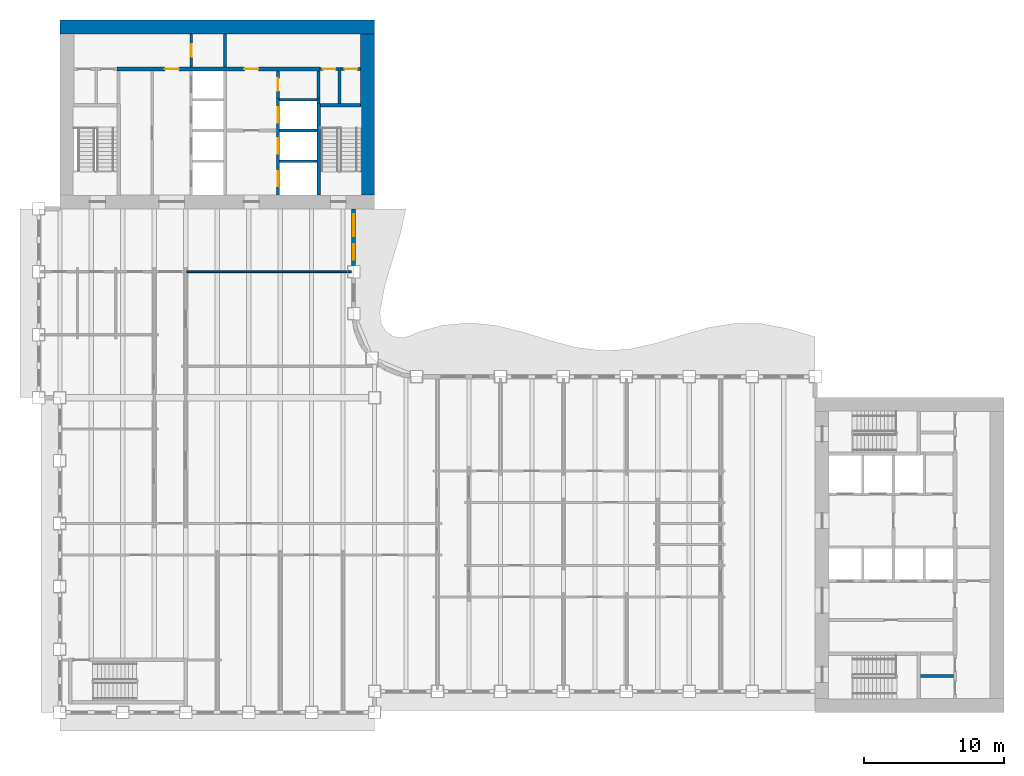
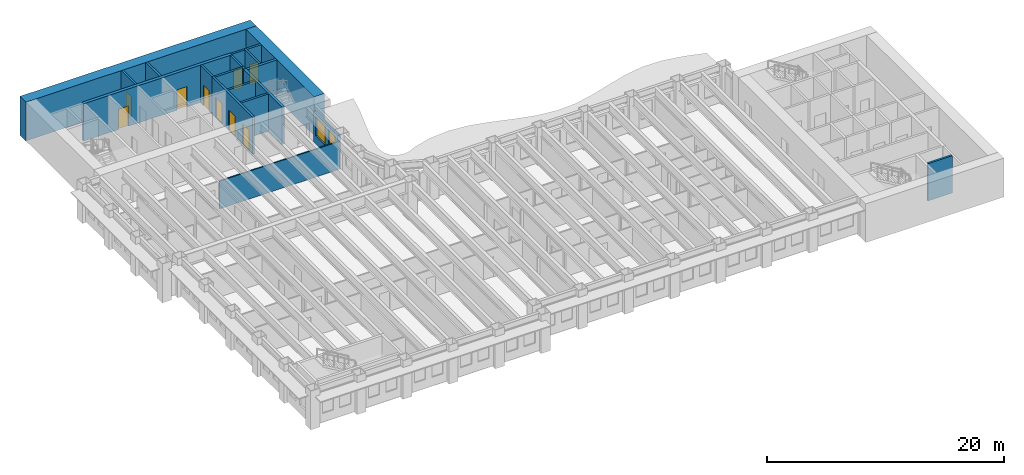
# One storey, part 9 of 16: 20 walls, 9 doors, 2 windows, 11 openings.
"""IFC4 building model written with IfcOpenShell, lengths in metres."""

from ifc_helpers import new_model, si_unit, direction, frame, frame_2d, origin, place, context, subcontext, project, spatial, rectangle, extrude, material, layer, layer_set, type_object, element, fill, save


model = new_model("IFC4")

# Units and contexts
model_context = context("Model", 3, precision=1e-05, world=origin(), true_north=direction((0.0, 1.0)))
body_context = subcontext(model_context, "Body", "Model", "MODEL_VIEW")
ifc_project = project(units=[si_unit("LENGTHUNIT", "METRE"), si_unit("AREAUNIT", "SQUARE_METRE"), si_unit("VOLUMEUNIT", "CUBIC_METRE"), si_unit("PLANEANGLEUNIT", "RADIAN"), si_unit("MASSUNIT", "GRAM", prefix="KILO")], contexts=[model_context])

# Site, building, storey
site_placement = place(None, origin())
site = spatial("IfcSite", under=ifc_project, at=site_placement, CompositionType="ELEMENT")
building_placement = place(site_placement, origin())
building = spatial("IfcBuilding", under=site, at=building_placement, Name="Sennacour Bend Tower", CompositionType="ELEMENT")
storey_placement = place(building_placement, frame((0.0, 0.0, 175.0)))
storey = spatial("IfcBuildingStorey", under=building, at=storey_placement, Name="L40", CompositionType="ELEMENT", Elevation=175.0)

# Walls
ifc_material_1 = material(Name="Concrete C60/75", Category="concrete")
ifc_layer_1 = layer(ifc_material_1, 1.0, Name="Concrete C60/75", Category="concrete")
ifc_layer_set_1 = layer_set([ifc_layer_1], Name="Concrete C60/75")
wall_type_1 = type_object("IfcWallType", Name="Core wall 1000 C60/75", PredefinedType="SHEAR", material=ifc_layer_set_1)
wall_1_placement = place(storey_placement, frame((0.0, 49.0, -0.14990234375), z_axis=(0.0, 0.0, 1.0), x_axis=(1.0, 0.0, 0.0)))
element("IfcWall", 1, at=wall_1_placement, inside=storey, type_object=wall_type_1, Name="Core B wall L40 N", PredefinedType="SHEAR", context=body_context, shape_type="SweptSolid", body=[
    extrude(rectangle(XDim=22.5, YDim=1.0, at=frame_2d((11.25, 0.0))), origin(), (0.0, 0.0, 1.0), 4.0),
])
wall_2_placement = place(storey_placement, frame((22.0, 37.0, -0.14990234375), z_axis=(0.0, 0.0, 1.0), x_axis=(0.0, 1.0, 0.0)))
element("IfcWall", 2, at=wall_2_placement, inside=storey, type_object=wall_type_1, Name="Core B wall L40 E", PredefinedType="SHEAR", context=body_context, shape_type="SweptSolid", body=[
    extrude(rectangle(XDim=11.5, YDim=1.0, at=frame_2d((5.75, 0.0))), origin(), (0.0, 0.0, 1.0), 4.0),
])
ifc_material_2 = material(Name="Plasterboard partition on steel studs", Category="steel")
ifc_layer_2 = layer(ifc_material_2, 0.1201171875, Name="Plasterboard partition on steel studs", Category="steel")
ifc_layer_set_2 = layer_set([ifc_layer_2], Name="Plasterboard partition on steel studs")
wall_type_2 = type_object("IfcWallType", Name="Partition 120", PredefinedType="PARTITIONING", material=ifc_layer_set_2)
wall_3_placement = place(storey_placement, frame((9.06005859375, 31.5, 0.0), z_axis=(0.0, 0.0, 1.0), x_axis=(1.0, 0.0, 0.0)))
element("IfcWall", 3, at=wall_3_placement, inside=storey, type_object=wall_type_2, Name="P-L40-W083ae", PredefinedType="PARTITIONING", context=body_context, shape_type="SweptSolid", body=[
    extrude(rectangle(XDim=11.7900390625, YDim=0.1201171875, at=frame_2d((5.89501953125, 0.0))), origin(), (0.0, 0.0, 1.0), 2.8701171875),
])

# Wall, opening, door
ifc_material_3 = material(Name="Fire-rated plasterboard partition on steel studs", Category="steel")
ifc_layer_3 = layer(ifc_material_3, 0.199951171875, Name="Fire-rated plasterboard partition on steel studs", Category="steel")
ifc_layer_set_3 = layer_set([ifc_layer_3], Name="Fire-rated plasterboard partition on steel studs")
wall_type_3 = type_object("IfcWallType", Name="Rated partition 200", PredefinedType="PARTITIONING", material=ifc_layer_set_3)
wall_4_placement = place(storey_placement, frame((9.39990234375, 46.14990234375, 0.0), z_axis=(0.0, 0.0, 1.0), x_axis=(0.0, 1.0, 0.0)))
wall_4 = element("IfcWall", 4, at=wall_4_placement, inside=storey, type_object=wall_type_3, Name="P-L40-W014", PredefinedType="PARTITIONING", context=body_context, shape_type="SweptSolid", body=[
    extrude(rectangle(XDim=2.35009765625, YDim=0.199951171875, at=frame_2d((1.175048828125, 0.0))), origin(), (0.0, 0.0, 1.0), 3.85009765625),
])
opening_1_placement = place(wall_4_placement, frame((0.72509765625, 0.0, 0.0)))
opening_1 = element("IfcOpeningElement", 5, at=opening_1_placement, cuts=wall_4, Name="Opening SV", PredefinedType="OPENING", context=body_context, shape_type="SweptSolid", body=[
    extrude(rectangle(XDim=0.89990234375, YDim=2.10009765625, at=frame_2d((0.449951171875, 1.050048828125))), frame((0.0, 0.10986328125, 0.0), z_axis=(0.0, -1.0, 0.0), x_axis=(1.0, 0.0, 0.0)), (0.0, 0.0, 1.0), 0.219970703125),
])
ifc_material_4 = material(Name="Painted steel", Category="steel")
door_type_1 = type_object("IfcDoorType", Name="DR-SERVICE-900", OperationType="NOTDEFINED", PredefinedType="DOOR", material=ifc_material_4)
door_1_placement = place(opening_1_placement, origin())
door_1 = element("IfcDoor", 6, at=door_1_placement, inside=storey, type_object=door_type_1, Name="Door", OperationType="SINGLE_SWING_RIGHT", OverallHeight=2.10009765625, OverallWidth=0.89990234375, PredefinedType="DOOR", context=body_context, shape_type="SweptSolid", body=[
    extrude(rectangle(XDim=0.89990234375, YDim=2.10009765625, at=frame_2d((0.449951171875, 1.050048828125))), frame((0.0, 0.02490234375, 0.0), z_axis=(0.0, -1.0, 0.0), x_axis=(1.0, 0.0, 0.0)), (0.0, 0.0, 1.0), 0.050048828125),
])
fill(opening_1, door_1)

# Wall
wall_5_placement = place(storey_placement, frame((11.800048828125, 46.14990234375, 0.0), z_axis=(0.0, 0.0, 1.0), x_axis=(0.0, 1.0, 0.0)))
element("IfcWall", 7, at=wall_5_placement, inside=storey, type_object=wall_type_3, Name="P-L40-W017", PredefinedType="PARTITIONING", context=body_context, shape_type="SweptSolid", body=[
    extrude(rectangle(XDim=2.35009765625, YDim=0.199951171875, at=frame_2d((1.175048828125, 0.0))), origin(), (0.0, 0.0, 1.0), 3.85009765625),
])

# Wall, opening, door
wall_6_placement = place(storey_placement, frame((15.60009765625, 43.89990234375, 0.0), z_axis=(0.0, 0.0, 1.0), x_axis=(0.0, 1.0, 0.0)))
wall_6 = element("IfcWall", 8, at=wall_6_placement, inside=storey, type_object=wall_type_3, Name="P-L40-W019", PredefinedType="PARTITIONING", context=body_context, shape_type="SweptSolid", body=[
    extrude(rectangle(XDim=1.9501953125, YDim=0.199951171875, at=frame_2d((0.97509765625, 0.0))), origin(), (0.0, 0.0, 1.0), 3.85009765625),
])
opening_2_placement = place(wall_6_placement, frame((0.525146484375, 0.0, 0.0)))
opening_2 = element("IfcOpeningElement", 9, at=opening_2_placement, cuts=wall_6, Name="Opening SV", PredefinedType="OPENING", context=body_context, shape_type="SweptSolid", body=[
    extrude(rectangle(XDim=0.89990234375, YDim=2.10009765625, at=frame_2d((0.449951171875, 1.050048828125))), frame((0.0, 0.10986328125, 0.0), z_axis=(0.0, -1.0, 0.0), x_axis=(1.0, 0.0, 0.0)), (0.0, 0.0, 1.0), 0.219970703125),
])
door_2_placement = place(opening_2_placement, origin())
door_2 = element("IfcDoor", 10, at=door_2_placement, inside=storey, type_object=door_type_1, Name="Door", OperationType="SINGLE_SWING_RIGHT", OverallHeight=2.10009765625, OverallWidth=0.89990234375, PredefinedType="DOOR", context=body_context, shape_type="SweptSolid", body=[
    extrude(rectangle(XDim=0.89990234375, YDim=2.10009765625, at=frame_2d((0.449951171875, 1.050048828125))), frame((0.0, 0.02490234375, 0.0), z_axis=(0.0, -1.0, 0.0), x_axis=(1.0, 0.0, 0.0)), (0.0, 0.0, 1.0), 0.050048828125),
])
fill(opening_2, door_2)

# Walls
wall_7_placement = place(storey_placement, frame((18.5, 43.89990234375, 0.0), z_axis=(0.0, 0.0, 1.0), x_axis=(0.0, 1.0, 0.0)))
element("IfcWall", 11, at=wall_7_placement, inside=storey, type_object=wall_type_3, Name="P-L40-W023", PredefinedType="PARTITIONING", context=body_context, shape_type="SweptSolid", body=[
    extrude(rectangle(XDim=1.9501953125, YDim=0.199951171875, at=frame_2d((0.97509765625, 0.0))), origin(), (0.0, 0.0, 1.0), 3.85009765625),
])
wall_8_placement = place(storey_placement, frame((20.0, 43.52490234375, 0.0), z_axis=(0.0, 0.0, 1.0), x_axis=(0.0, 1.0, 0.0)))
element("IfcWall", 12, at=wall_8_placement, inside=storey, type_object=wall_type_3, Name="P-L40-W024", PredefinedType="PARTITIONING", context=body_context, shape_type="SweptSolid", body=[
    extrude(rectangle(XDim=2.5751953125, YDim=0.199951171875, at=frame_2d((1.28759765625, 0.0))), origin(), (0.0, 0.0, 1.0), 3.85009765625),
])
wall_9_placement = place(storey_placement, frame((61.52490234375, 2.60009765625, 0.0), z_axis=(0.0, 0.0, 1.0), x_axis=(1.0, 0.0, 0.0)))
element("IfcWall", 13, at=wall_9_placement, inside=storey, type_object=wall_type_3, Name="P-L40-W053", PredefinedType="PARTITIONING", context=body_context, shape_type="SweptSolid", body=[
    extrude(rectangle(XDim=2.375, YDim=0.199951171875, at=frame_2d((1.1875, 0.0))), origin(), (0.0, 0.0, 1.0), 3.85009765625),
])

# Wall, opening, door
wall_10_placement = place(storey_placement, frame((18.60009765625, 46.0, 0.0), z_axis=(0.0, 0.0, 1.0), x_axis=(1.0, 0.0, 0.0)))
wall_10 = element("IfcWall", 14, at=wall_10_placement, inside=storey, type_object=wall_type_3, Name="P-L40-W096a", PredefinedType="PARTITIONING", context=body_context, shape_type="SweptSolid", body=[
    extrude(rectangle(XDim=1.2998046875, YDim=0.199951171875, at=frame_2d((0.64990234375, 0.0))), origin(), (0.0, 0.0, 1.0), 3.85009765625),
])
opening_3_placement = place(wall_10_placement, frame((0.199951171875, 0.0, 0.0)))
opening_3 = element("IfcOpeningElement", 15, at=opening_3_placement, cuts=wall_10, Name="Opening SV", PredefinedType="OPENING", context=body_context, shape_type="SweptSolid", body=[
    extrude(rectangle(XDim=0.89990234375, YDim=2.10009765625, at=frame_2d((0.449951171875, 1.050048828125))), frame((0.0, 0.10986328125, 0.0), z_axis=(0.0, -1.0, 0.0), x_axis=(1.0, 0.0, 0.0)), (0.0, 0.0, 1.0), 0.219970703125),
])
door_3_placement = place(opening_3_placement, origin())
door_3 = element("IfcDoor", 16, at=door_3_placement, inside=storey, type_object=door_type_1, Name="Door", OperationType="SINGLE_SWING_LEFT", OverallHeight=2.10009765625, OverallWidth=0.89990234375, PredefinedType="DOOR", context=body_context, shape_type="SweptSolid", body=[
    extrude(rectangle(XDim=0.89990234375, YDim=2.10009765625, at=frame_2d((0.449951171875, 1.050048828125))), frame((0.0, 0.02490234375, 0.0), z_axis=(0.0, -1.0, 0.0), x_axis=(1.0, 0.0, 0.0)), (0.0, 0.0, 1.0), 0.050048828125),
])
fill(opening_3, door_3)

wall_11_placement = place(storey_placement, frame((20.10009765625, 46.0, 0.0), z_axis=(0.0, 0.0, 1.0), x_axis=(1.0, 0.0, 0.0)))
wall_11 = element("IfcWall", 17, at=wall_11_placement, inside=storey, type_object=wall_type_3, Name="P-L40-W096b", PredefinedType="PARTITIONING", context=body_context, shape_type="SweptSolid", body=[
    extrude(rectangle(XDim=1.39990234375, YDim=0.199951171875, at=frame_2d((0.699951171875, 0.0))), origin(), (0.0, 0.0, 1.0), 3.85009765625),
])
opening_4_placement = place(wall_11_placement, frame((0.25, 0.0, 0.0)))
opening_4 = element("IfcOpeningElement", 18, at=opening_4_placement, cuts=wall_11, Name="Opening SV", PredefinedType="OPENING", context=body_context, shape_type="SweptSolid", body=[
    extrude(rectangle(XDim=0.89990234375, YDim=2.10009765625, at=frame_2d((0.449951171875, 1.050048828125))), frame((0.0, 0.10986328125, 0.0), z_axis=(0.0, -1.0, 0.0), x_axis=(1.0, 0.0, 0.0)), (0.0, 0.0, 1.0), 0.219970703125),
])
door_4_placement = place(opening_4_placement, origin())
door_4 = element("IfcDoor", 19, at=door_4_placement, inside=storey, type_object=door_type_1, Name="Door", OperationType="SINGLE_SWING_LEFT", OverallHeight=2.10009765625, OverallWidth=0.89990234375, PredefinedType="DOOR", context=body_context, shape_type="SweptSolid", body=[
    extrude(rectangle(XDim=0.89990234375, YDim=2.10009765625, at=frame_2d((0.449951171875, 1.050048828125))), frame((0.0, 0.02490234375, 0.0), z_axis=(0.0, -1.0, 0.0), x_axis=(1.0, 0.0, 0.0)), (0.0, 0.0, 1.0), 0.050048828125),
])
fill(opening_4, door_4)

# Wall, openings, windows
ifc_material_5 = material(Name="Warm limestone cladding", Category="masonry")
ifc_layer_4 = layer(ifc_material_5, 0.050048828125, Name="Warm limestone cladding", Category="masonry")
ifc_material_6 = material(Name="Precast concrete C40/50", Category="concrete")
ifc_layer_5 = layer(ifc_material_6, 0.25, Name="Precast concrete C40/50", Category="concrete")
ifc_layer_set_4 = layer_set([ifc_layer_4, ifc_layer_5], Name="Precast concrete C40/50 with limestone cladding")
wall_type_4 = type_object("IfcWallType", Name="STONE-CLAD PRECAST SPANDREL 300", PredefinedType="STANDARD", material=ifc_layer_set_4)
wall_12_placement = place(storey_placement, frame((21.0, 31.949951171875, 0.0), z_axis=(0.0, 0.0, 1.0), x_axis=(0.0, 1.0, 0.0)))
wall_12 = element("IfcWall", 20, at=wall_12_placement, inside=storey, type_object=wall_type_4, Name="Stone spandrel and pier wall L40 15.01", PredefinedType="STANDARD", context=body_context, shape_type="SweptSolid", body=[
    extrude(rectangle(XDim=4.050048828125, YDim=0.300048828125, at=frame_2d((2.02490234375, 0.0))), origin(), (0.0, 0.0, 1.0), 3.14892578125),
])
opening_5_placement = place(wall_12_placement, frame((0.39990234375, 0.0, 0.89990234375)))
opening_5 = element("IfcOpeningElement", 21, at=opening_5_placement, cuts=wall_12, Name="Opening W19", PredefinedType="OPENING", context=body_context, shape_type="SweptSolid", body=[
    extrude(rectangle(XDim=1.10009765625, YDim=2.0, at=frame_2d((0.550048828125, 1.0))), frame((0.0, 0.16015625, 0.0), z_axis=(0.0, -1.0, 0.0), x_axis=(1.0, 0.0, 0.0)), (0.0, 0.0, 1.0), 0.320068359375),
])
opening_6_placement = place(wall_12_placement, frame((2.10009765625, 0.0, 0.89990234375)))
opening_6 = element("IfcOpeningElement", 22, at=opening_6_placement, cuts=wall_12, Name="Opening W9", PredefinedType="OPENING", context=body_context, shape_type="SweptSolid", body=[
    extrude(rectangle(XDim=1.550048828125, YDim=2.0, at=frame_2d((0.77490234375, 1.0))), frame((0.0, 0.16015625, 0.0), z_axis=(0.0, -1.0, 0.0), x_axis=(1.0, 0.0, 0.0)), (0.0, 0.0, 1.0), 0.320068359375),
])
ifc_material_7 = material(Name="Clear low-emissivity glass", Category="glass")
window_type_1 = type_object("IfcWindowType", Name="WIN-RIBBON-1100x2000", PartitioningType="SINGLE_PANEL", PredefinedType="WINDOW", material=ifc_material_7)
window_1_placement = place(opening_5_placement, origin())
window_1 = element("IfcWindow", 23, at=window_1_placement, inside=storey, type_object=window_type_1, Name="Ribbon window L40 15.01.0", OverallHeight=2.0, OverallWidth=1.10009765625, PartitioningType="SINGLE_PANEL", PredefinedType="WINDOW", context=body_context, shape_type="SweptSolid", body=[
    extrude(rectangle(XDim=1.10009765625, YDim=2.0, at=frame_2d((0.550048828125, 1.0))), frame((0.0, 0.030029296875, 0.0), z_axis=(0.0, -1.0, 0.0), x_axis=(1.0, 0.0, 0.0)), (0.0, 0.0, 1.0), 0.06005859375),
])
fill(opening_5, window_1)
window_type_2 = type_object("IfcWindowType", Name="WIN-RIBBON-1550x2000", PartitioningType="SINGLE_PANEL", PredefinedType="WINDOW", material=ifc_material_7)
window_2_placement = place(opening_6_placement, origin())
window_2 = element("IfcWindow", 24, at=window_2_placement, inside=storey, type_object=window_type_2, Name="Ribbon window L40 15.01.1", OverallHeight=2.0, OverallWidth=1.550048828125, PartitioningType="SINGLE_PANEL", PredefinedType="WINDOW", context=body_context, shape_type="SweptSolid", body=[
    extrude(rectangle(XDim=1.550048828125, YDim=2.0, at=frame_2d((0.77490234375, 1.0))), frame((0.0, 0.030029296875, 0.0), z_axis=(0.0, -1.0, 0.0), x_axis=(1.0, 0.0, 0.0)), (0.0, 0.0, 1.0), 0.06005859375),
])
fill(opening_6, window_2)

# Wall, openings, doors
ifc_material_8 = material(Name="Concrete C50/60", Category="concrete")
ifc_layer_6 = layer(ifc_material_8, 0.199951171875, Name="Concrete C50/60", Category="concrete")
ifc_layer_set_5 = layer_set([ifc_layer_6], Name="Concrete C50/60")
wall_type_5 = type_object("IfcWallType", Name="Shaft wall 200", PredefinedType="SOLIDWALL", material=ifc_layer_set_5)
wall_13_placement = place(storey_placement, frame((15.60009765625, 37.0, 0.0), z_axis=(0.0, 0.0, 1.0), x_axis=(0.0, 1.0, 0.0)))
wall_13 = element("IfcWall", 25, at=wall_13_placement, inside=storey, type_object=wall_type_5, Name="P-L40-W018", PredefinedType="SOLIDWALL", context=body_context, shape_type="SweptSolid", body=[
    extrude(rectangle(XDim=6.89990234375, YDim=0.199951171875, at=frame_2d((3.449951171875, 0.0))), origin(), (0.0, 0.0, 1.0), 3.85009765625),
])
opening_7_placement = place(wall_13_placement, frame((0.60009765625, 0.0, 0.011962890625)))
opening_7 = element("IfcOpeningElement", 26, at=opening_7_placement, cuts=wall_13, Name="Opening FLD", PredefinedType="OPENING", context=body_context, shape_type="SweptSolid", body=[
    extrude(rectangle(XDim=1.10009765625, YDim=2.10009765625, at=frame_2d((0.550048828125, 1.050048828125))), frame((0.0, 0.10986328125, 0.0), z_axis=(0.0, -1.0, 0.0), x_axis=(1.0, 0.0, 0.0)), (0.0, 0.0, 1.0), 0.219970703125),
])
opening_8_placement = place(wall_13_placement, frame((2.949951171875, 0.0, 0.011962890625)))
opening_8 = element("IfcOpeningElement", 27, at=opening_8_placement, cuts=wall_13, Name="Opening FLD", PredefinedType="OPENING", context=body_context, shape_type="SweptSolid", body=[
    extrude(rectangle(XDim=1.10009765625, YDim=2.10009765625, at=frame_2d((0.550048828125, 1.050048828125))), frame((0.0, 0.10986328125, 0.0), z_axis=(0.0, -1.0, 0.0), x_axis=(1.0, 0.0, 0.0)), (0.0, 0.0, 1.0), 0.219970703125),
])
opening_9_placement = place(wall_13_placement, frame((5.14990234375, 0.0, 0.011962890625)))
opening_9 = element("IfcOpeningElement", 28, at=opening_9_placement, cuts=wall_13, Name="Opening LD", PredefinedType="OPENING", context=body_context, shape_type="SweptSolid", body=[
    extrude(rectangle(XDim=1.10009765625, YDim=2.10009765625, at=frame_2d((0.550048828125, 1.050048828125))), frame((0.0, 0.10986328125, 0.0), z_axis=(0.0, -1.0, 0.0), x_axis=(1.0, 0.0, 0.0)), (0.0, 0.0, 1.0), 0.219970703125),
])
ifc_material_9 = material(Name="Stainless steel", Category="steel")
door_type_2 = type_object("IfcDoorType", Name="DR-FF-LANDING-1100", OperationType="NOTDEFINED", PredefinedType="DOOR", material=ifc_material_9)
door_5_placement = place(opening_7_placement, origin())
door_5 = element("IfcDoor", 29, at=door_5_placement, inside=storey, type_object=door_type_2, Name="Fire service lift landing door FB1", OperationType="SLIDING_TO_RIGHT", OverallHeight=2.10009765625, OverallWidth=1.10009765625, PredefinedType="DOOR", context=body_context, shape_type="SweptSolid", body=[
    extrude(rectangle(XDim=1.10009765625, YDim=2.10009765625, at=frame_2d((0.550048828125, 1.050048828125))), frame((0.0, 0.02490234375, 0.0), z_axis=(0.0, -1.0, 0.0), x_axis=(1.0, 0.0, 0.0)), (0.0, 0.0, 1.0), 0.050048828125),
])
fill(opening_7, door_5)
door_6_placement = place(opening_8_placement, origin())
door_6 = element("IfcDoor", 30, at=door_6_placement, inside=storey, type_object=door_type_2, Name="Fire service lift landing door FB2", OperationType="SLIDING_TO_LEFT", OverallHeight=2.10009765625, OverallWidth=1.10009765625, PredefinedType="DOOR", context=body_context, shape_type="SweptSolid", body=[
    extrude(rectangle(XDim=1.10009765625, YDim=2.10009765625, at=frame_2d((0.550048828125, 1.050048828125))), frame((0.0, 0.02490234375, 0.0), z_axis=(0.0, -1.0, 0.0), x_axis=(1.0, 0.0, 0.0)), (0.0, 0.0, 1.0), 0.050048828125),
])
fill(opening_8, door_6)
door_type_3 = type_object("IfcDoorType", Name="DR-LANDING-1100", OperationType="NOTDEFINED", PredefinedType="DOOR", material=ifc_material_9)
door_7_placement = place(opening_9_placement, origin())
door_7 = element("IfcDoor", 31, at=door_7_placement, inside=storey, type_object=door_type_3, Name="Lift landing door MB5", OperationType="SLIDING_TO_RIGHT", OverallHeight=2.10009765625, OverallWidth=1.10009765625, PredefinedType="DOOR", context=body_context, shape_type="SweptSolid", body=[
    extrude(rectangle(XDim=1.10009765625, YDim=2.10009765625, at=frame_2d((0.550048828125, 1.050048828125))), frame((0.0, 0.02490234375, 0.0), z_axis=(0.0, -1.0, 0.0), x_axis=(1.0, 0.0, 0.0)), (0.0, 0.0, 1.0), 0.050048828125),
])
fill(opening_9, door_7)

# Walls
wall_14_placement = place(storey_placement, frame((18.5, 43.52490234375, 0.0), z_axis=(0.0, 0.0, 1.0), x_axis=(0.0, 1.0, 0.0)))
element("IfcWall", 32, at=wall_14_placement, inside=storey, type_object=wall_type_5, Name="P-L40-W022", PredefinedType="SOLIDWALL", context=body_context, shape_type="SweptSolid", body=[
    extrude(rectangle(XDim=0.375, YDim=0.199951171875, at=frame_2d((0.1875, 0.0))), origin(), (0.0, 0.0, 1.0), 3.85009765625),
])
for number, where, z_axis, x_axis, name in (
    (33, (15.699951171875, 39.39990234375, 0.0), (0.0, 0.0, 1.0), (1.0, 0.0, 0.0), "P-L40-W086"),
    (34, (15.699951171875, 41.60009765625, 0.0), (0.0, 0.0, 1.0), (1.0, 0.0, 0.0), "P-L40-W089"),
):
    element("IfcWall", number, at=place(storey_placement, frame(where, z_axis=z_axis, x_axis=x_axis)), inside=storey, type_object=wall_type_5, Name=name, PredefinedType="SOLIDWALL", context=body_context, shape_type="SweptSolid", body=[
        extrude(rectangle(XDim=2.675048828125, YDim=0.199951171875, at=frame_2d((1.33740234375, 0.0))), origin(), (0.0, 0.0, 1.0), 3.85009765625),
    ])
wall_15_placement = place(storey_placement, frame((15.699951171875, 43.800048828125, 0.0), z_axis=(0.0, 0.0, 1.0), x_axis=(1.0, 0.0, 0.0)))
element("IfcWall", 35, at=wall_15_placement, inside=storey, type_object=wall_type_5, Name="P-L40-W093", PredefinedType="SOLIDWALL", context=body_context, shape_type="SweptSolid", body=[
    extrude(rectangle(XDim=2.699951171875, YDim=0.199951171875, at=frame_2d((1.35009765625, 0.0))), origin(), (0.0, 0.0, 1.0), 3.85009765625),
])

# Wall, openings, doors
ifc_layer_7 = layer(ifc_material_1, 0.300048828125, Name="Concrete C60/75", Category="concrete")
ifc_layer_set_6 = layer_set([ifc_layer_7], Name="Concrete C60/75")
wall_type_6 = type_object("IfcWallType", Name="Spine wall 300", PredefinedType="SHEAR", material=ifc_layer_set_6)
wall_16_placement = place(storey_placement, frame((4.10009765625, 46.0, 0.0), z_axis=(0.0, 0.0, 1.0), x_axis=(1.0, 0.0, 0.0)))
wall_16 = element("IfcWall", 36, at=wall_16_placement, inside=storey, type_object=wall_type_6, Name="P-L40-W095", PredefinedType="SHEAR", context=body_context, shape_type="SweptSolid", body=[
    extrude(rectangle(XDim=14.5, YDim=0.300048828125, at=frame_2d((7.25, 0.0))), origin(), (0.0, 0.0, 1.0), 3.85009765625),
])
opening_10_placement = place(wall_16_placement, frame((3.39990234375, 0.0, 0.0)))
opening_10 = element("IfcOpeningElement", 37, at=opening_10_placement, cuts=wall_16, Name="Opening CD2", PredefinedType="OPENING", context=body_context, shape_type="SweptSolid", body=[
    extrude(rectangle(XDim=1.0, YDim=2.10009765625, at=frame_2d((0.5, 1.050048828125))), frame((0.0, 0.16015625, 0.0), z_axis=(0.0, -1.0, 0.0), x_axis=(1.0, 0.0, 0.0)), (0.0, 0.0, 1.0), 0.320068359375),
])
opening_11_placement = place(wall_16_placement, frame((9.099853515625, 0.0, 0.0)))
opening_11 = element("IfcOpeningElement", 38, at=opening_11_placement, cuts=wall_16, Name="Opening CD2", PredefinedType="OPENING", context=body_context, shape_type="SweptSolid", body=[
    extrude(rectangle(XDim=1.0, YDim=2.10009765625, at=frame_2d((0.5, 1.050048828125))), frame((0.0, 0.16015625, 0.0), z_axis=(0.0, -1.0, 0.0), x_axis=(1.0, 0.0, 0.0)), (0.0, 0.0, 1.0), 0.320068359375),
])
door_type_4 = type_object("IfcDoorType", Name="DR-LOBBY-1000", OperationType="NOTDEFINED", PredefinedType="DOOR", material=ifc_material_4)
door_8_placement = place(opening_10_placement, origin())
door_8 = element("IfcDoor", 39, at=door_8_placement, inside=storey, type_object=door_type_4, Name="Door", OperationType="SINGLE_SWING_LEFT", OverallHeight=2.10009765625, OverallWidth=1.0, PredefinedType="DOOR", context=body_context, shape_type="SweptSolid", body=[
    extrude(rectangle(XDim=1.0, YDim=2.10009765625, at=frame_2d((0.5, 1.050048828125))), frame((0.0, 0.02490234375, 0.0), z_axis=(0.0, -1.0, 0.0), x_axis=(1.0, 0.0, 0.0)), (0.0, 0.0, 1.0), 0.050048828125),
])
fill(opening_10, door_8)
door_9_placement = place(opening_11_placement, origin())
door_9 = element("IfcDoor", 40, at=door_9_placement, inside=storey, type_object=door_type_4, Name="Door", OperationType="SINGLE_SWING_RIGHT", OverallHeight=2.10009765625, OverallWidth=1.0, PredefinedType="DOOR", context=body_context, shape_type="SweptSolid", body=[
    extrude(rectangle(XDim=1.0, YDim=2.10009765625, at=frame_2d((0.5, 1.050048828125))), frame((0.0, 0.02490234375, 0.0), z_axis=(0.0, -1.0, 0.0), x_axis=(1.0, 0.0, 0.0)), (0.0, 0.0, 1.0), 0.050048828125),
])
fill(opening_11, door_9)

# Walls
ifc_layer_8 = layer(ifc_material_1, 0.25, Name="Concrete C60/75", Category="concrete")
ifc_layer_set_7 = layer_set([ifc_layer_8], Name="Concrete C60/75")
wall_type_7 = type_object("IfcWallType", Name="Stair wall 250", PredefinedType="SHEAR", material=ifc_layer_set_7)
wall_17_placement = place(storey_placement, frame((18.5, 37.0, 0.0), z_axis=(0.0, 0.0, 1.0), x_axis=(0.0, 1.0, 0.0)))
element("IfcWall", 41, at=wall_17_placement, inside=storey, type_object=wall_type_7, Name="P-L40-W021", PredefinedType="SHEAR", context=body_context, shape_type="SweptSolid", body=[
    extrude(rectangle(XDim=6.52490234375, YDim=0.25, at=frame_2d((3.262451171875, 0.0))), origin(), (0.0, 0.0, 1.0), 3.85009765625),
])
wall_18_placement = place(storey_placement, frame((18.625, 43.39990234375, 0.0), z_axis=(0.0, 0.0, 1.0), x_axis=(1.0, 0.0, 0.0)))
element("IfcWall", 42, at=wall_18_placement, inside=storey, type_object=wall_type_7, Name="P-L40-W091", PredefinedType="SHEAR", context=body_context, shape_type="SweptSolid", body=[
    extrude(rectangle(XDim=2.875, YDim=0.25, at=frame_2d((1.4375, 0.0))), origin(), (0.0, 0.0, 1.0), 3.85009765625),
])

save(model, "model.ifc")
